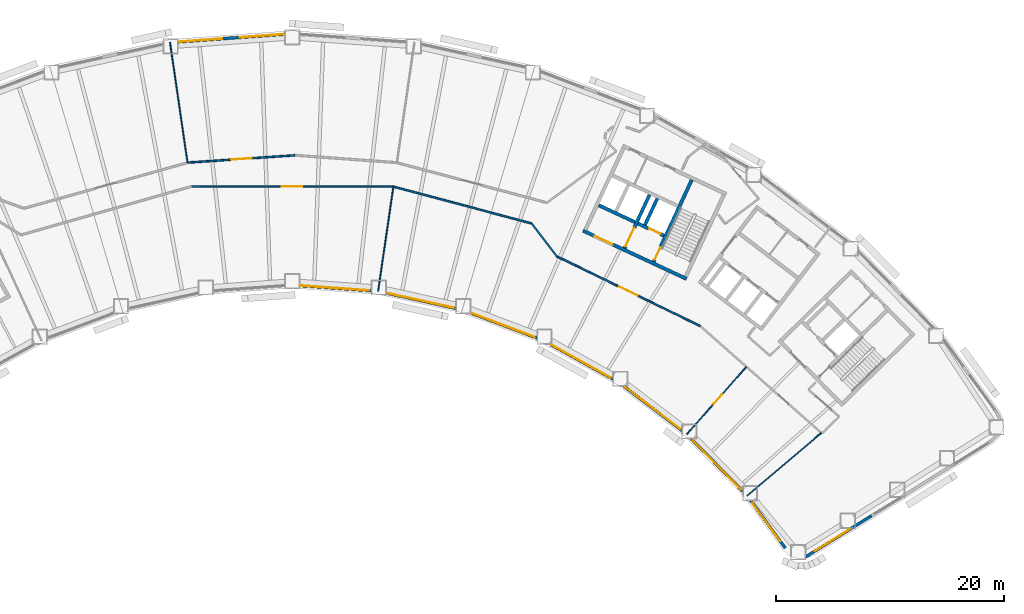
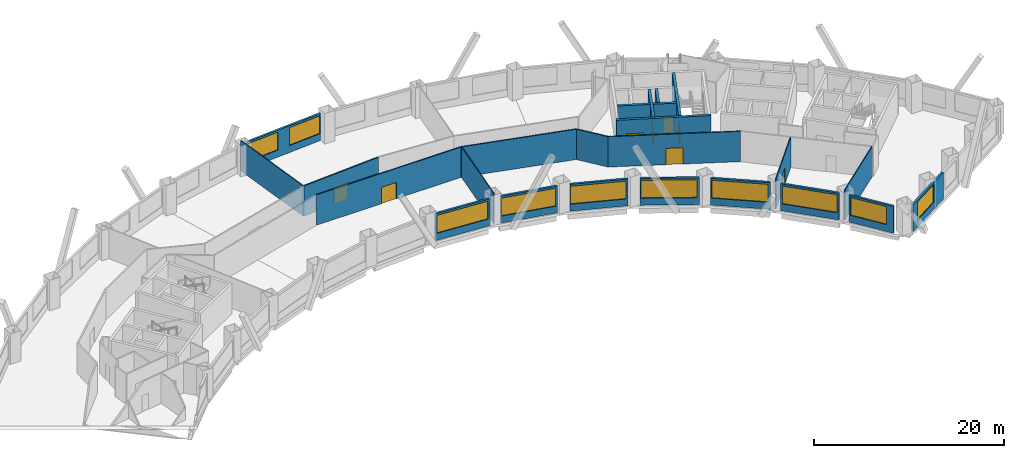
# One storey, part 5 of 11: 24 walls, 10 windows, 8 doors, 18 openings.
"""IFC4 building model written with IfcOpenShell, lengths in metres."""

from ifc_helpers import new_model, si_unit, direction, frame, frame_2d, origin, place, context, subcontext, project, spatial, rectangle, extrude, material, layer, layer_set, type_object, element, fill, save


model = new_model("IFC4")

# Units and contexts
model_context = context("Model", 3, precision=1e-05, world=origin(), true_north=direction((0.0, 1.0)))
body_context = subcontext(model_context, "Body", "Model", "MODEL_VIEW")
ifc_project = project(units=[si_unit("LENGTHUNIT", "METRE"), si_unit("AREAUNIT", "SQUARE_METRE"), si_unit("VOLUMEUNIT", "CUBIC_METRE"), si_unit("PLANEANGLEUNIT", "RADIAN"), si_unit("MASSUNIT", "GRAM", prefix="KILO")], contexts=[model_context])

# Site, building, storey
site_placement = place(None, origin())
site = spatial("IfcSite", under=ifc_project, at=site_placement, CompositionType="ELEMENT")
building_placement = place(site_placement, origin())
building = spatial("IfcBuilding", under=site, at=building_placement, Name="Tuul Gate Civic Tower", CompositionType="ELEMENT")
storey_placement = place(building_placement, frame((0.0, 0.0, 48.300048828125)))
storey = spatial("IfcBuildingStorey", under=building, at=storey_placement, Name="Level 10", CompositionType="ELEMENT", Elevation=48.300048828125)

# Wall, opening, door
ifc_material_1 = material(Name="Concrete C50/60", Category="concrete")
ifc_layer_1 = layer(ifc_material_1, 0.300048828125)
ifc_layer_set_1 = layer_set([ifc_layer_1], Name="Concrete C50/60")
wall_type_1 = type_object("IfcWallType", Name="Core wall C50/60", PredefinedType="SHEAR", material=ifc_layer_set_1)
wall_1_placement = place(storey_placement, frame((34.5283203125, -7.25, 0.0), z_axis=(0.0, 0.0, 1.0), x_axis=(-0.906310338845, 0.422612789327, 0.0)))
wall_1 = element("IfcWall", 1, at=wall_1_placement, inside=storey, type_object=wall_type_1, Name="Core wall", PredefinedType="SHEAR", context=body_context, shape_type="SweptSolid", body=[
    extrude(rectangle(XDim=9.999755859375, YDim=0.300048828125, at=frame_2d((5.0, 0.0))), origin(), (0.0, 0.0, 1.0), 3.89990234375),
])
opening_1_placement = place(wall_1_placement, frame((7.125, 0.0, 0.0)))
opening_1 = element("IfcOpeningElement", 2, at=opening_1_placement, cuts=wall_1, Name="Opening LB-E3-LOBBY-1", PredefinedType="OPENING", context=body_context, shape_type="SweptSolid", body=[
    extrude(rectangle(XDim=1.800048828125, YDim=2.10009765625, at=frame_2d((0.89990234375, 1.050048828125))), frame((0.0, 0.16015625, 0.0), z_axis=(0.0, -1.0, 0.0), x_axis=(1.0, 0.0, 0.0)), (0.0, 0.0, 1.0), 0.320068359375),
])
ifc_material_2 = material(Name="Steel", Category="steel")
door_type_1 = type_object("IfcDoorType", Name="Lobby door", OperationType="DOUBLE_DOOR_SINGLE_SWING", PredefinedType="DOOR", material=ifc_material_2)
door_1_placement = place(opening_1_placement, frame((1.800048828125, 0.0, 0.0), z_axis=(0.0, 0.0, 1.0), x_axis=(-1.0, 0.0, 0.0)))
door_1 = element("IfcDoor", 3, at=door_1_placement, inside=storey, type_object=door_type_1, Name="Lobby door E3-LOBBY", OperationType="DOUBLE_DOOR_SINGLE_SWING", OverallHeight=2.10009765625, OverallWidth=1.800048828125, PredefinedType="DOOR", context=body_context, shape_type="SweptSolid", body=[
    extrude(rectangle(XDim=1.800048828125, YDim=2.10009765625, at=frame_2d((0.900146484375, 1.050048828125))), frame((0.0, 0.02490234375, 0.0), z_axis=(0.0, -1.0, 0.0), x_axis=(1.0, 0.0, 0.0)), (0.0, 0.0, 1.0), 0.050048828125),
])
fill(opening_1, door_1)

wall_2_placement = place(storey_placement, frame((32.545654296875, -3.456787109375, 0.0), z_axis=(0.0, 0.0, 1.0), x_axis=(-0.906300357825, 0.42263419337, 0.0)))
wall_2 = element("IfcWall", 4, at=wall_2_placement, inside=storey, type_object=wall_type_1, Name="Core wall", PredefinedType="SHEAR", context=body_context, shape_type="SweptSolid", body=[
    extrude(rectangle(XDim=2.500244140625, YDim=0.300048828125, at=frame_2d((1.25, 0.0))), origin(), (0.0, 0.0, 1.0), 3.89990234375),
])
opening_2_placement = place(wall_2_placement, frame((0.324951171875, 0.0, 0.0)))
opening_2 = element("IfcOpeningElement", 5, at=opening_2_placement, cuts=wall_2, Name="Opening LD-FF-2", PredefinedType="OPENING", context=body_context, shape_type="SweptSolid", body=[
    extrude(rectangle(XDim=1.10009765625, YDim=2.10009765625, at=frame_2d((0.550048828125, 1.050048828125))), frame((0.0, 0.16015625, 0.0), z_axis=(0.0, -1.0, 0.0), x_axis=(1.0, 0.0, 0.0)), (0.0, 0.0, 1.0), 0.320068359375),
])
ifc_material_3 = material(Name="Stainless steel", Category="steel")
door_type_2 = type_object("IfcDoorType", Name="Landing door", OperationType="DOUBLE_DOOR_SLIDING", PredefinedType="DOOR", material=ifc_material_3)
door_2_placement = place(opening_2_placement, origin())
door_2 = element("IfcDoor", 6, at=door_2_placement, inside=storey, type_object=door_type_2, Name="Fire-fighting lift FF-2 landing door", OperationType="DOUBLE_DOOR_SLIDING", OverallHeight=2.10009765625, OverallWidth=1.10009765625, PredefinedType="DOOR", context=body_context, shape_type="SweptSolid", body=[
    extrude(rectangle(XDim=1.10009765625, YDim=2.10009765625, at=frame_2d((0.550048828125, 1.050048828125))), frame((0.0, 0.02490234375, 0.0), z_axis=(0.0, -1.0, 0.0), x_axis=(1.0, 0.0, 0.0)), (0.0, 0.0, 1.0), 0.050048828125),
])
fill(opening_2, door_2)

# Wall
wall_3_placement = place(storey_placement, frame((30.0078125, -2.2734375, 0.0), z_axis=(0.0, 0.0, 1.0), x_axis=(-0.90630071767, 0.422633421716, 0.0)))
element("IfcWall", 7, at=wall_3_placement, inside=storey, type_object=wall_type_1, Name="Core wall", PredefinedType="SHEAR", context=body_context, shape_type="SweptSolid", body=[
    extrude(rectangle(XDim=3.5, YDim=0.300048828125, at=frame_2d((1.75, 0.0))), origin(), (0.0, 0.0, 1.0), 3.89990234375),
])

# Wall, opening, door
wall_4_placement = place(storey_placement, frame((31.646240234375, -5.740478515625, 0.0), z_axis=(0.0, 0.0, 1.0), x_axis=(0.422582604137, 0.906324413596, 0.0)))
wall_4 = element("IfcWall", 8, at=wall_4_placement, inside=storey, type_object=wall_type_1, Name="Core wall", PredefinedType="SHEAR", context=body_context, shape_type="SweptSolid", body=[
    extrude(rectangle(XDim=7.89990234375, YDim=0.300048828125, at=frame_2d((3.949951171875, 0.0))), origin(), (0.0, 0.0, 1.0), 3.89990234375),
])
opening_3_placement = place(wall_4_placement, frame((0.199951171875, 0.0, 0.0)))
opening_3 = element("IfcOpeningElement", 9, at=opening_3_placement, cuts=wall_4, Name="Opening SD-ST-4", PredefinedType="OPENING", context=body_context, shape_type="SweptSolid", body=[
    extrude(rectangle(XDim=1.199951171875, YDim=2.10009765625, at=frame_2d((0.60009765625, 1.050048828125))), frame((0.0, 0.16015625, 0.0), z_axis=(0.0, -1.0, 0.0), x_axis=(1.0, 0.0, 0.0)), (0.0, 0.0, 1.0), 0.320068359375),
])
ifc_material_4 = material(Name="Steel", Category="steel")
door_type_3 = type_object("IfcDoorType", Name="Stair door", OperationType="NOTDEFINED", PredefinedType="DOOR", material=ifc_material_4)
door_3_placement = place(opening_3_placement, origin())
door_3 = element("IfcDoor", 10, at=door_3_placement, inside=storey, type_object=door_type_3, Name="Stair door ST-4", OperationType="SINGLE_SWING_LEFT", OverallHeight=2.10009765625, OverallWidth=1.199951171875, PredefinedType="DOOR", context=body_context, shape_type="SweptSolid", body=[
    extrude(rectangle(XDim=1.199951171875, YDim=2.10009765625, at=frame_2d((0.60009765625, 1.050048828125))), frame((0.0, 0.02490234375, 0.0), z_axis=(0.0, -1.0, 0.0), x_axis=(1.0, 0.0, 0.0)), (0.0, 0.0, 1.0), 0.050048828125),
])
fill(opening_3, door_3)

# Wall
wall_5_placement = place(storey_placement, frame((30.886962890625, -2.517822265625, 0.0), z_axis=(0.0, 0.0, 1.0), x_axis=(0.422612891016, 0.906310291427, 0.0)))
element("IfcWall", 11, at=wall_5_placement, inside=storey, type_object=wall_type_1, Name="Core wall", PredefinedType="SHEAR", context=body_context, shape_type="SweptSolid", body=[
    extrude(rectangle(XDim=2.550048828125, YDim=0.300048828125, at=frame_2d((1.27490234375, 0.0))), origin(), (0.0, 0.0, 1.0), 3.89990234375),
])

# Wall, opening, door
wall_6_placement = place(storey_placement, frame((29.108642578125, -4.557373046875, 0.0), z_axis=(0.0, 0.0, 1.0), x_axis=(0.422566235356, 0.90633204552, 0.0)))
wall_6 = element("IfcWall", 12, at=wall_6_placement, inside=storey, type_object=wall_type_1, Name="Core wall", PredefinedType="SHEAR", context=body_context, shape_type="SweptSolid", body=[
    extrude(rectangle(XDim=5.150146484375, YDim=0.300048828125, at=frame_2d((2.5751953125, 0.0))), origin(), (0.0, 0.0, 1.0), 3.89990234375),
])
opening_4_placement = place(wall_6_placement, frame((0.175048828125, 0.0, 0.0)))
opening_4 = element("IfcOpeningElement", 13, at=opening_4_placement, cuts=wall_6, Name="Opening LB-E3-FLOBBY-1", PredefinedType="OPENING", context=body_context, shape_type="SweptSolid", body=[
    extrude(rectangle(XDim=1.800048828125, YDim=2.10009765625, at=frame_2d((0.89990234375, 1.050048828125))), frame((0.0, 0.16015625, 0.0), z_axis=(0.0, -1.0, 0.0), x_axis=(1.0, 0.0, 0.0)), (0.0, 0.0, 1.0), 0.320068359375),
])
door_4_placement = place(opening_4_placement, frame((1.800048828125, 0.0, 0.0), z_axis=(0.0, 0.0, 1.0), x_axis=(-1.0, 0.0, 0.0)))
door_4 = element("IfcDoor", 14, at=door_4_placement, inside=storey, type_object=door_type_1, Name="Lobby door E3-FLOBBY", OperationType="DOUBLE_DOOR_SINGLE_SWING", OverallHeight=2.10009765625, OverallWidth=1.800048828125, PredefinedType="DOOR", context=body_context, shape_type="SweptSolid", body=[
    extrude(rectangle(XDim=1.800048828125, YDim=2.10009765625, at=frame_2d((0.900146484375, 1.050048828125))), frame((0.0, 0.02490234375, 0.0), z_axis=(0.0, -1.0, 0.0), x_axis=(1.0, 0.0, 0.0)), (0.0, 0.0, 1.0), 0.050048828125),
])
fill(opening_4, door_4)

ifc_material_5 = material(Name="Gypsum board partition")
ifc_layer_2 = layer(ifc_material_5, 0.14990234375)
ifc_layer_set_2 = layer_set([ifc_layer_2], Name="Gypsum board partition")
wall_type_2 = type_object("IfcWallType", Name="Corridor wall P150", PredefinedType="PARTITIONING", material=ifc_layer_set_2)
wall_7_placement = place(storey_placement, frame((-9.11767578125, 2.936279296875, 0.0), z_axis=(0.0, 0.0, 1.0), x_axis=(0.997685012636, 0.068004526039, 0.0)))
wall_7 = element("IfcWall", 15, at=wall_7_placement, inside=storey, type_object=wall_type_2, Name="p027", PredefinedType="PARTITIONING", context=body_context, shape_type="SweptSolid", body=[
    extrude(rectangle(XDim=9.4130859375, YDim=0.14990234375, at=frame_2d((4.70654296875, 0.0))), origin(), (0.0, 0.0, 1.0), 3.89990234375),
])
opening_5_placement = place(wall_7_placement, frame((3.806640625, 0.0, 0.0)))
opening_5 = element("IfcOpeningElement", 16, at=opening_5_placement, cuts=wall_7, Name="Opening B-D04", PredefinedType="OPENING", context=body_context, shape_type="SweptSolid", body=[
    extrude(rectangle(XDim=1.800048828125, YDim=2.10009765625, at=frame_2d((0.89990234375, 1.050048828125))), frame((0.0, 0.0849609375, 0.0), z_axis=(0.0, -1.0, 0.0), x_axis=(1.0, 0.0, 0.0)), (0.0, 0.0, 1.0), 0.169921875),
])
ifc_material_6 = material(Name="Timber door leaf, double", Category="wood")
door_type_4 = type_object("IfcDoorType", Name="Door D18", OperationType="DOUBLE_DOOR_SINGLE_SWING", PredefinedType="DOOR", material=ifc_material_6)
door_5_placement = place(opening_5_placement, origin())
door_5 = element("IfcDoor", 17, at=door_5_placement, inside=storey, type_object=door_type_4, Name="Door B-D04", OperationType="DOUBLE_DOOR_SINGLE_SWING", OverallHeight=2.10009765625, OverallWidth=1.800048828125, PredefinedType="DOOR", context=body_context, shape_type="SweptSolid", body=[
    extrude(rectangle(XDim=1.800048828125, YDim=2.10009765625, at=frame_2d((0.89990234375, 1.050048828125))), frame((0.0, 0.02490234375, 0.0), z_axis=(0.0, -1.0, 0.0), x_axis=(1.0, 0.0, 0.0)), (0.0, 0.0, 1.0), 0.050048828125),
])
fill(opening_5, door_5)

# Walls
wall_8_placement = place(storey_placement, frame((8.7958984375, 0.853271484375, 0.0), z_axis=(0.0, 0.0, 1.0), x_axis=(0.966243312112, -0.257631251596, 0.0)))
element("IfcWall", 18, at=wall_8_placement, inside=storey, type_object=wall_type_2, Name="p042", PredefinedType="PARTITIONING", context=body_context, shape_type="SweptSolid", body=[
    extrude(rectangle(XDim=12.582763671875, YDim=0.14990234375, at=frame_2d((6.29150390625, 0.0))), origin(), (0.0, 0.0, 1.0), 3.89990234375),
])
wall_9_placement = place(storey_placement, frame((20.96533203125, -2.39599609375, 0.0), z_axis=(0.0, 0.0, 1.0), x_axis=(0.608342437312, -0.793674668214, 0.0)))
element("IfcWall", 19, at=wall_9_placement, inside=storey, type_object=wall_type_2, Name="p043", PredefinedType="PARTITIONING", context=body_context, shape_type="SweptSolid", body=[
    extrude(rectangle(XDim=3.6240234375, YDim=0.14990234375, at=frame_2d((1.81201171875, 0.0))), origin(), (0.0, 0.0, 1.0), 3.89990234375),
])

# Wall, opening, door
wall_10_placement = place(storey_placement, frame((23.1708984375, -5.273193359375, 0.0), z_axis=(0.0, 0.0, 1.0), x_axis=(0.89942879208, -0.437067326596, 0.0)))
wall_10 = element("IfcWall", 20, at=wall_10_placement, inside=storey, type_object=wall_type_2, Name="p044", PredefinedType="PARTITIONING", context=body_context, shape_type="SweptSolid", body=[
    extrude(rectangle(XDim=13.956787109375, YDim=0.14990234375, at=frame_2d((6.978515625, 0.0))), origin(), (0.0, 0.0, 1.0), 3.89990234375),
])
opening_6_placement = place(wall_10_placement, frame((6.07861328125, 0.0, 0.0)))
opening_6 = element("IfcOpeningElement", 21, at=opening_6_placement, cuts=wall_10, Name="Opening B-D08", PredefinedType="OPENING", context=body_context, shape_type="SweptSolid", body=[
    extrude(rectangle(XDim=1.800048828125, YDim=2.10009765625, at=frame_2d((0.89990234375, 1.050048828125))), frame((0.0, 0.0849609375, 0.0), z_axis=(0.0, -1.0, 0.0), x_axis=(1.0, 0.0, 0.0)), (0.0, 0.0, 1.0), 0.169921875),
])
door_6_placement = place(opening_6_placement, frame((1.800048828125, 0.0, 0.0), z_axis=(0.0, 0.0, 1.0), x_axis=(-1.0, 0.0, 0.0)))
door_6 = element("IfcDoor", 22, at=door_6_placement, inside=storey, type_object=door_type_4, Name="Door B-D08", OperationType="DOUBLE_DOOR_SINGLE_SWING", OverallHeight=2.10009765625, OverallWidth=1.800048828125, PredefinedType="DOOR", context=body_context, shape_type="SweptSolid", body=[
    extrude(rectangle(XDim=1.800048828125, YDim=2.10009765625, at=frame_2d((0.900146484375, 1.050048828125))), frame((0.0, 0.02490234375, 0.0), z_axis=(0.0, -1.0, 0.0), x_axis=(1.0, 0.0, 0.0)), (0.0, 0.0, 1.0), 0.050048828125),
])
fill(opening_6, door_6)

wall_11_placement = place(storey_placement, frame((-8.813720703125, 0.85205078125, 0.0), z_axis=(0.0, 0.0, 1.0), x_axis=(0.999999993845, 0.000110950848, 0.0)))
wall_11 = element("IfcWall", 23, at=wall_11_placement, inside=storey, type_object=wall_type_2, Name="p047", PredefinedType="PARTITIONING", context=body_context, shape_type="SweptSolid", body=[
    extrude(rectangle(XDim=17.603515625, YDim=0.14990234375, at=frame_2d((8.8017578125, 0.0))), origin(), (0.0, 0.0, 1.0), 3.89990234375),
])
opening_7_placement = place(wall_11_placement, frame((7.90185546875, 0.0, 0.0)))
opening_7 = element("IfcOpeningElement", 24, at=opening_7_placement, cuts=wall_11, Name="Opening B-D09", PredefinedType="OPENING", context=body_context, shape_type="SweptSolid", body=[
    extrude(rectangle(XDim=1.800048828125, YDim=2.10009765625, at=frame_2d((0.89990234375, 1.050048828125))), frame((0.0, 0.0849609375, 0.0), z_axis=(0.0, -1.0, 0.0), x_axis=(1.0, 0.0, 0.0)), (0.0, 0.0, 1.0), 0.169921875),
])
door_7_placement = place(opening_7_placement, frame((1.800048828125, 0.0, 0.0), z_axis=(0.0, 0.0, 1.0), x_axis=(-1.0, 0.0, 0.0)))
door_7 = element("IfcDoor", 25, at=door_7_placement, inside=storey, type_object=door_type_4, Name="Door B-D09", OperationType="DOUBLE_DOOR_SINGLE_SWING", OverallHeight=2.10009765625, OverallWidth=1.800048828125, PredefinedType="DOOR", context=body_context, shape_type="SweptSolid", body=[
    extrude(rectangle(XDim=1.800048828125, YDim=2.10009765625, at=frame_2d((0.900146484375, 1.050048828125))), frame((0.0, 0.02490234375, 0.0), z_axis=(0.0, -1.0, 0.0), x_axis=(1.0, 0.0, 0.0)), (0.0, 0.0, 1.0), 0.050048828125),
])
fill(opening_7, door_7)

# Wall, openings, windows
ifc_material_7 = material(Name="Precast concrete C40/50", Category="concrete")
ifc_layer_3 = layer(ifc_material_7, 0.25)
ifc_layer_set_3 = layer_set([ifc_layer_3], Name="Precast concrete C40/50")
wall_type_3 = type_object("IfcWallType", Name="External wall", PredefinedType="STANDARD", material=ifc_layer_set_3)
wall_12_placement = place(storey_placement, frame((-0.64990234375, 14.177490234375, 0.0), z_axis=(0.0, 0.0, 1.0), x_axis=(-0.997388413682, -0.072224318983, 0.0)))
wall_12 = element("IfcWall", 26, at=wall_12_placement, inside=storey, type_object=wall_type_3, Name="External wall", PredefinedType="STANDARD", context=body_context, shape_type="SweptSolid", body=[
    extrude(rectangle(XDim=9.37353515625, YDim=0.25, at=frame_2d((4.686767578125, 0.0))), origin(), (0.0, 0.0, 1.0), 3.449951171875),
])
opening_8_placement = place(wall_12_placement, frame((0.099853515625, 0.0, 0.89990234375)))
opening_8 = element("IfcOpeningElement", 27, at=opening_8_placement, cuts=wall_12, Name="Opening W22", PredefinedType="OPENING", context=body_context, shape_type="SweptSolid", body=[
    extrude(rectangle(XDim=3.85009765625, YDim=2.300048828125, at=frame_2d((1.925048828125, 1.14990234375))), frame((0.0, 0.135009765625, 0.0), z_axis=(0.0, -1.0, 0.0), x_axis=(1.0, 0.0, 0.0)), (0.0, 0.0, 1.0), 0.27001953125),
])
opening_9_placement = place(wall_12_placement, frame((5.470703125, 0.0, 0.89990234375)))
opening_9 = element("IfcOpeningElement", 28, at=opening_9_placement, cuts=wall_12, Name="Opening W22", PredefinedType="OPENING", context=body_context, shape_type="SweptSolid", body=[
    extrude(rectangle(XDim=3.85009765625, YDim=2.300048828125, at=frame_2d((1.925048828125, 1.14990234375))), frame((0.0, 0.135009765625, 0.0), z_axis=(0.0, -1.0, 0.0), x_axis=(1.0, 0.0, 0.0)), (0.0, 0.0, 1.0), 0.27001953125),
])
ifc_material_8 = material(Name="Glass", Category="glass")
window_type_1 = type_object("IfcWindowType", Name="Window W22 3850 x 2300", PartitioningType="SINGLE_PANEL", PredefinedType="WINDOW", material=ifc_material_8)
window_1_placement = place(opening_8_placement, origin())
window_1 = element("IfcWindow", 29, at=window_1_placement, inside=storey, type_object=window_type_1, Name="Window", OverallHeight=2.300048828125, OverallWidth=3.85009765625, PartitioningType="SINGLE_PANEL", PredefinedType="WINDOW", context=body_context, shape_type="SweptSolid", body=[
    extrude(rectangle(XDim=3.85009765625, YDim=2.300048828125, at=frame_2d((1.925048828125, 1.14990234375))), frame((0.0, 0.030029296875, 0.0), z_axis=(0.0, -1.0, 0.0), x_axis=(1.0, 0.0, 0.0)), (0.0, 0.0, 1.0), 0.06005859375),
])
fill(opening_8, window_1)
window_2_placement = place(opening_9_placement, origin())
window_2 = element("IfcWindow", 30, at=window_2_placement, inside=storey, type_object=window_type_1, Name="Window", OverallHeight=2.300048828125, OverallWidth=3.85009765625, PartitioningType="SINGLE_PANEL", PredefinedType="WINDOW", context=body_context, shape_type="SweptSolid", body=[
    extrude(rectangle(XDim=3.85009765625, YDim=2.300048828125, at=frame_2d((1.925048828125, 1.14990234375))), frame((0.0, 0.030029296875, 0.0), z_axis=(0.0, -1.0, 0.0), x_axis=(1.0, 0.0, 0.0)), (0.0, 0.0, 1.0), 0.06005859375),
])
fill(opening_9, window_2)

# Wall, opening, window
wall_13_placement = place(storey_placement, frame((0.64990234375, -7.830810546875, 0.0), z_axis=(0.0, 0.0, 1.0), x_axis=(0.997395047269, -0.072132653374, 0.0)))
wall_13 = element("IfcWall", 31, at=wall_13_placement, inside=storey, type_object=wall_type_3, Name="External wall", PredefinedType="STANDARD", context=body_context, shape_type="SweptSolid", body=[
    extrude(rectangle(XDim=6.28857421875, YDim=0.25, at=frame_2d((3.144287109375, 0.0))), origin(), (0.0, 0.0, 1.0), 3.449951171875),
])
opening_10_placement = place(wall_13_placement, frame((0.12060546875, 0.0, 0.89990234375)))
opening_10 = element("IfcOpeningElement", 32, at=opening_10_placement, cuts=wall_13, Name="Opening W26", PredefinedType="OPENING", context=body_context, shape_type="SweptSolid", body=[
    extrude(rectangle(XDim=6.0, YDim=2.300048828125, at=frame_2d((3.0, 1.14990234375))), frame((0.0, 0.135009765625, 0.0), z_axis=(0.0, -1.0, 0.0), x_axis=(1.0, 0.0, 0.0)), (0.0, 0.0, 1.0), 0.27001953125),
])
ifc_material_9 = material(Name="Glass", Category="glass")
window_type_2 = type_object("IfcWindowType", Name="Window W26 6000 x 2300", PartitioningType="SINGLE_PANEL", PredefinedType="WINDOW", material=ifc_material_9)
window_3_placement = place(opening_10_placement, origin())
window_3 = element("IfcWindow", 33, at=window_3_placement, inside=storey, type_object=window_type_2, Name="Window", OverallHeight=2.300048828125, OverallWidth=6.0, PartitioningType="SINGLE_PANEL", PredefinedType="WINDOW", context=body_context, shape_type="SweptSolid", body=[
    extrude(rectangle(XDim=6.0, YDim=2.300048828125, at=frame_2d((3.0, 1.14990234375))), frame((0.0, 0.030029296875, 0.0), z_axis=(0.0, -1.0, 0.0), x_axis=(1.0, 0.0, 0.0)), (0.0, 0.0, 1.0), 0.06005859375),
])
fill(opening_10, window_3)

wall_14_placement = place(storey_placement, frame((8.221923828125, -8.481689453125, 0.0), z_axis=(0.0, 0.0, 1.0), x_axis=(0.97656633669, -0.215216611915, 0.0)))
wall_14 = element("IfcWall", 34, at=wall_14_placement, inside=storey, type_object=wall_type_3, Name="External wall", PredefinedType="STANDARD", context=body_context, shape_type="SweptSolid", body=[
    extrude(rectangle(XDim=6.2607421875, YDim=0.25, at=frame_2d((3.13037109375, 0.0))), origin(), (0.0, 0.0, 1.0), 3.449951171875),
])
opening_11_placement = place(wall_14_placement, frame((0.05859375, 0.0, 0.89990234375)))
opening_11 = element("IfcOpeningElement", 35, at=opening_11_placement, cuts=wall_14, Name="Opening W26", PredefinedType="OPENING", context=body_context, shape_type="SweptSolid", body=[
    extrude(rectangle(XDim=6.0, YDim=2.300048828125, at=frame_2d((3.0, 1.14990234375))), frame((0.0, 0.135009765625, 0.0), z_axis=(0.0, -1.0, 0.0), x_axis=(1.0, 0.0, 0.0)), (0.0, 0.0, 1.0), 0.27001953125),
])
window_4_placement = place(opening_11_placement, origin())
window_4 = element("IfcWindow", 36, at=window_4_placement, inside=storey, type_object=window_type_2, Name="Window", OverallHeight=2.300048828125, OverallWidth=6.0, PartitioningType="SINGLE_PANEL", PredefinedType="WINDOW", context=body_context, shape_type="SweptSolid", body=[
    extrude(rectangle(XDim=6.0, YDim=2.300048828125, at=frame_2d((3.0, 1.14990234375))), frame((0.0, 0.030029296875, 0.0), z_axis=(0.0, -1.0, 0.0), x_axis=(1.0, 0.0, 0.0)), (0.0, 0.0, 1.0), 0.06005859375),
])
fill(opening_11, window_4)

wall_15_placement = place(storey_placement, frame((15.635986328125, -10.23291015625, 0.0), z_axis=(0.0, 0.0, 1.0), x_axis=(0.935359836581, -0.353697577193, 0.0)))
wall_15 = element("IfcWall", 37, at=wall_15_placement, inside=storey, type_object=wall_type_3, Name="External wall", PredefinedType="STANDARD", context=body_context, shape_type="SweptSolid", body=[
    extrude(rectangle(XDim=6.201904296875, YDim=0.25, at=frame_2d((3.10107421875, 0.0))), origin(), (0.0, 0.0, 1.0), 3.449951171875),
])
opening_12_placement = place(wall_15_placement, frame((0.0458984375, 0.0, 0.89990234375)))
opening_12 = element("IfcOpeningElement", 38, at=opening_12_placement, cuts=wall_15, Name="Opening W101", PredefinedType="OPENING", context=body_context, shape_type="SweptSolid", body=[
    extrude(rectangle(XDim=5.949951171875, YDim=2.300048828125, at=frame_2d((2.97509765625, 1.14990234375))), frame((0.0, 0.135009765625, 0.0), z_axis=(0.0, -1.0, 0.0), x_axis=(1.0, 0.0, 0.0)), (0.0, 0.0, 1.0), 0.27001953125),
])
ifc_material_10 = material(Name="Glass", Category="glass")
window_type_3 = type_object("IfcWindowType", Name="Window W101 5950 x 2300", PartitioningType="SINGLE_PANEL", PredefinedType="WINDOW", material=ifc_material_10)
window_5_placement = place(opening_12_placement, origin())
window_5 = element("IfcWindow", 39, at=window_5_placement, inside=storey, type_object=window_type_3, Name="Window", OverallHeight=2.300048828125, OverallWidth=5.949951171875, PartitioningType="SINGLE_PANEL", PredefinedType="WINDOW", context=body_context, shape_type="SweptSolid", body=[
    extrude(rectangle(XDim=5.949951171875, YDim=2.300048828125, at=frame_2d((2.97509765625, 1.14990234375))), frame((0.0, 0.030029296875, 0.0), z_axis=(0.0, -1.0, 0.0), x_axis=(1.0, 0.0, 0.0)), (0.0, 0.0, 1.0), 0.06005859375),
])
fill(opening_12, window_5)

wall_16_placement = place(storey_placement, frame((22.589599609375, -12.97509765625, 0.0), z_axis=(0.0, 0.0, 1.0), x_axis=(0.874630436192, -0.484790264018, 0.0)))
wall_16 = element("IfcWall", 40, at=wall_16_placement, inside=storey, type_object=wall_type_3, Name="External wall", PredefinedType="STANDARD", context=body_context, shape_type="SweptSolid", body=[
    extrude(rectangle(XDim=6.27392578125, YDim=0.25, at=frame_2d((3.136962890625, 0.0))), origin(), (0.0, 0.0, 1.0), 3.449951171875),
])
opening_13_placement = place(wall_16_placement, frame((0.0869140625, 0.0, 0.89990234375)))
opening_13 = element("IfcOpeningElement", 41, at=opening_13_placement, cuts=wall_16, Name="Opening W101", PredefinedType="OPENING", context=body_context, shape_type="SweptSolid", body=[
    extrude(rectangle(XDim=5.949951171875, YDim=2.300048828125, at=frame_2d((2.97509765625, 1.14990234375))), frame((0.0, 0.135009765625, 0.0), z_axis=(0.0, -1.0, 0.0), x_axis=(1.0, 0.0, 0.0)), (0.0, 0.0, 1.0), 0.27001953125),
])
window_6_placement = place(opening_13_placement, origin())
window_6 = element("IfcWindow", 42, at=window_6_placement, inside=storey, type_object=window_type_3, Name="Window", OverallHeight=2.300048828125, OverallWidth=5.949951171875, PartitioningType="SINGLE_PANEL", PredefinedType="WINDOW", context=body_context, shape_type="SweptSolid", body=[
    extrude(rectangle(XDim=5.949951171875, YDim=2.300048828125, at=frame_2d((2.97509765625, 1.14990234375))), frame((0.0, 0.030029296875, 0.0), z_axis=(0.0, -1.0, 0.0), x_axis=(1.0, 0.0, 0.0)), (0.0, 0.0, 1.0), 0.06005859375),
])
fill(opening_13, window_6)

wall_17_placement = place(storey_placement, frame((29.044921875, -16.656005859375, 0.0), z_axis=(0.0, 0.0, 1.0), x_axis=(0.795571471624, -0.605859747416, 0.0)))
wall_17 = element("IfcWall", 43, at=wall_17_placement, inside=storey, type_object=wall_type_3, Name="External wall", PredefinedType="STANDARD", context=body_context, shape_type="SweptSolid", body=[
    extrude(rectangle(XDim=6.375244140625, YDim=0.25, at=frame_2d((3.1875, 0.0))), origin(), (0.0, 0.0, 1.0), 3.449951171875),
])
opening_14_placement = place(wall_17_placement, frame((0.1484375, 0.0, 0.89990234375)))
opening_14 = element("IfcOpeningElement", 44, at=opening_14_placement, cuts=wall_17, Name="Opening W26", PredefinedType="OPENING", context=body_context, shape_type="SweptSolid", body=[
    extrude(rectangle(XDim=6.0, YDim=2.300048828125, at=frame_2d((3.0, 1.14990234375))), frame((0.0, 0.135009765625, 0.0), z_axis=(0.0, -1.0, 0.0), x_axis=(1.0, 0.0, 0.0)), (0.0, 0.0, 1.0), 0.27001953125),
])
window_7_placement = place(opening_14_placement, origin())
window_7 = element("IfcWindow", 45, at=window_7_placement, inside=storey, type_object=window_type_2, Name="Window", OverallHeight=2.300048828125, OverallWidth=6.0, PartitioningType="SINGLE_PANEL", PredefinedType="WINDOW", context=body_context, shape_type="SweptSolid", body=[
    extrude(rectangle(XDim=6.0, YDim=2.300048828125, at=frame_2d((3.0, 1.14990234375))), frame((0.0, 0.030029296875, 0.0), z_axis=(0.0, -1.0, 0.0), x_axis=(1.0, 0.0, 0.0)), (0.0, 0.0, 1.0), 0.06005859375),
])
fill(opening_14, window_7)

wall_18_placement = place(storey_placement, frame((34.948974609375, -21.2548828125, 0.0), z_axis=(0.0, 0.0, 1.0), x_axis=(0.699998211198, -0.714144596227, 0.0)))
wall_18 = element("IfcWall", 46, at=wall_18_placement, inside=storey, type_object=wall_type_3, Name="External wall", PredefinedType="STANDARD", context=body_context, shape_type="SweptSolid", body=[
    extrude(rectangle(XDim=6.40283203125, YDim=0.25, at=frame_2d((3.201416015625, 0.0))), origin(), (0.0, 0.0, 1.0), 3.449951171875),
])
opening_15_placement = place(wall_18_placement, frame((0.203857421875, 0.0, 0.89990234375)))
opening_15 = element("IfcOpeningElement", 47, at=opening_15_placement, cuts=wall_18, Name="Opening W26", PredefinedType="OPENING", context=body_context, shape_type="SweptSolid", body=[
    extrude(rectangle(XDim=6.0, YDim=2.300048828125, at=frame_2d((3.0, 1.14990234375))), frame((0.0, 0.135009765625, 0.0), z_axis=(0.0, -1.0, 0.0), x_axis=(1.0, 0.0, 0.0)), (0.0, 0.0, 1.0), 0.27001953125),
])
window_8_placement = place(opening_15_placement, origin())
window_8 = element("IfcWindow", 48, at=window_8_placement, inside=storey, type_object=window_type_2, Name="Window", OverallHeight=2.300048828125, OverallWidth=6.0, PartitioningType="SINGLE_PANEL", PredefinedType="WINDOW", context=body_context, shape_type="SweptSolid", body=[
    extrude(rectangle(XDim=6.0, YDim=2.300048828125, at=frame_2d((3.0, 1.14990234375))), frame((0.0, 0.030029296875, 0.0), z_axis=(0.0, -1.0, 0.0), x_axis=(1.0, 0.0, 0.0)), (0.0, 0.0, 1.0), 0.06005859375),
])
fill(opening_15, window_8)

wall_19_placement = place(storey_placement, frame((40.1533203125, -26.676025390625, 0.0), z_axis=(0.0, 0.0, 1.0), x_axis=(0.589712900291, -0.807612961282, 0.0)))
wall_19 = element("IfcWall", 49, at=wall_19_placement, inside=storey, type_object=wall_type_3, Name="External wall", PredefinedType="STANDARD", context=body_context, shape_type="SweptSolid", body=[
    extrude(rectangle(XDim=5.120361328125, YDim=0.25, at=frame_2d((2.56005859375, 0.0))), origin(), (0.0, 0.0, 1.0), 3.449951171875),
])
opening_16_placement = place(wall_19_placement, frame((0.218017578125, 0.0, 0.89990234375)))
opening_16 = element("IfcOpeningElement", 50, at=opening_16_placement, cuts=wall_19, Name="Opening W25", PredefinedType="OPENING", context=body_context, shape_type="SweptSolid", body=[
    extrude(rectangle(XDim=4.14990234375, YDim=2.300048828125, at=frame_2d((2.074951171875, 1.14990234375))), frame((0.0, 0.135009765625, 0.0), z_axis=(0.0, -1.0, 0.0), x_axis=(1.0, 0.0, 0.0)), (0.0, 0.0, 1.0), 0.27001953125),
])
ifc_material_11 = material(Name="Glass", Category="glass")
window_type_4 = type_object("IfcWindowType", Name="Window W25 4150 x 2300", PartitioningType="SINGLE_PANEL", PredefinedType="WINDOW", material=ifc_material_11)
window_9_placement = place(opening_16_placement, origin())
window_9 = element("IfcWindow", 51, at=window_9_placement, inside=storey, type_object=window_type_4, Name="Window", OverallHeight=2.300048828125, OverallWidth=4.14990234375, PartitioningType="SINGLE_PANEL", PredefinedType="WINDOW", context=body_context, shape_type="SweptSolid", body=[
    extrude(rectangle(XDim=4.14990234375, YDim=2.300048828125, at=frame_2d((2.074951171875, 1.14990234375))), frame((0.0, 0.030029296875, 0.0), z_axis=(0.0, -1.0, 0.0), x_axis=(1.0, 0.0, 0.0)), (0.0, 0.0, 1.0), 0.06005859375),
])
fill(opening_16, window_9)

wall_20_placement = place(storey_placement, frame((44.950927734375, -31.5869140625, 0.0), z_axis=(0.0, 0.0, 1.0), x_axis=(0.848068815002, 0.529886105707, 0.0)))
wall_20 = element("IfcWall", 52, at=wall_20_placement, inside=storey, type_object=wall_type_3, Name="External wall", PredefinedType="STANDARD", context=body_context, shape_type="SweptSolid", body=[
    extrude(rectangle(XDim=6.807373046875, YDim=0.25, at=frame_2d((3.40380859375, 0.0))), origin(), (0.0, 0.0, 1.0), 3.449951171875),
])
opening_17_placement = place(wall_20_placement, frame((0.943115234375, 0.0, 0.89990234375)))
opening_17 = element("IfcOpeningElement", 53, at=opening_17_placement, cuts=wall_20, Name="Opening W21", PredefinedType="OPENING", context=body_context, shape_type="SweptSolid", body=[
    extrude(rectangle(XDim=3.699951171875, YDim=2.300048828125, at=frame_2d((1.85009765625, 1.14990234375))), frame((0.0, 0.135009765625, 0.0), z_axis=(0.0, -1.0, 0.0), x_axis=(1.0, 0.0, 0.0)), (0.0, 0.0, 1.0), 0.27001953125),
])
ifc_material_12 = material(Name="Glass", Category="glass")
window_type_5 = type_object("IfcWindowType", Name="Window W21 3700 x 2300", PartitioningType="SINGLE_PANEL", PredefinedType="WINDOW", material=ifc_material_12)
window_10_placement = place(opening_17_placement, origin())
window_10 = element("IfcWindow", 54, at=window_10_placement, inside=storey, type_object=window_type_5, Name="Window", OverallHeight=2.300048828125, OverallWidth=3.699951171875, PartitioningType="SINGLE_PANEL", PredefinedType="WINDOW", context=body_context, shape_type="SweptSolid", body=[
    extrude(rectangle(XDim=3.699951171875, YDim=2.300048828125, at=frame_2d((1.85009765625, 1.14990234375))), frame((0.0, 0.030029296875, 0.0), z_axis=(0.0, -1.0, 0.0), x_axis=(1.0, 0.0, 0.0)), (0.0, 0.0, 1.0), 0.06005859375),
])
fill(opening_17, window_10)

# Walls
ifc_material_13 = material(Name="Gypsum board partition")
ifc_layer_4 = layer(ifc_material_13, 0.10009765625)
ifc_layer_set_4 = layer_set([ifc_layer_4], Name="Gypsum board partition")
wall_type_4 = type_object("IfcWallType", Name="Partition P100", PredefinedType="PARTITIONING", material=ifc_layer_set_4)
wall_21_placement = place(storey_placement, frame((39.82861328125, -26.239990234375, 0.0), z_axis=(0.0, 0.0, 1.0), x_axis=(0.762830690299, 0.646598281731, 0.0)))
element("IfcWall", 55, at=wall_21_placement, inside=storey, type_object=wall_type_4, Name="p001", PredefinedType="PARTITIONING", context=body_context, shape_type="SweptSolid", body=[
    extrude(rectangle(XDim=8.521484375, YDim=0.10009765625, at=frame_2d((4.2607421875, 0.0))), origin(), (0.0, 0.0, 1.0), 3.89990234375),
])
wall_22_placement = place(storey_placement, frame((7.5244140625, -8.3330078125, 0.0), z_axis=(0.0, 0.0, 1.0), x_axis=(0.144095123446, 0.989563840992, 0.0)))
element("IfcWall", 56, at=wall_22_placement, inside=storey, type_object=wall_type_4, Name="p015", PredefinedType="PARTITIONING", context=body_context, shape_type="SweptSolid", body=[
    extrude(rectangle(XDim=9.26611328125, YDim=0.10009765625, at=frame_2d((4.633056640625, 0.0))), origin(), (0.0, 0.0, 1.0), 3.89990234375),
])
wall_23_placement = place(storey_placement, frame((-10.697265625, 13.454833984375, 0.0), z_axis=(0.0, 0.0, 1.0), x_axis=(0.144115484467, -0.989560875913, 0.0)))
element("IfcWall", 57, at=wall_23_placement, inside=storey, type_object=wall_type_4, Name="p025", PredefinedType="PARTITIONING", context=body_context, shape_type="SweptSolid", body=[
    extrude(rectangle(XDim=10.64208984375, YDim=0.10009765625, at=frame_2d((5.321044921875, 0.0))), origin(), (0.0, 0.0, 1.0), 3.89990234375),
])

# Wall, opening, door
wall_24_placement = place(storey_placement, frame((34.547607421875, -20.852783203125, 0.0), z_axis=(0.0, 0.0, 1.0), x_axis=(0.661702510962, 0.749766488306, 0.0)))
wall_24 = element("IfcWall", 58, at=wall_24_placement, inside=storey, type_object=wall_type_4, Name="p041", PredefinedType="PARTITIONING", context=body_context, shape_type="SweptSolid", body=[
    extrude(rectangle(XDim=7.88720703125, YDim=0.10009765625, at=frame_2d((3.943603515625, 0.0))), origin(), (0.0, 0.0, 1.0), 3.89990234375),
])
opening_18_placement = place(wall_24_placement, frame((3.55908203125, 0.0, 0.0)))
opening_18 = element("IfcOpeningElement", 59, at=opening_18_placement, cuts=wall_24, Name="Opening B-D15", PredefinedType="OPENING", context=body_context, shape_type="SweptSolid", body=[
    extrude(rectangle(XDim=1.10009765625, YDim=2.10009765625, at=frame_2d((0.550048828125, 1.050048828125))), frame((0.0, 0.06005859375, 0.0), z_axis=(0.0, -1.0, 0.0), x_axis=(1.0, 0.0, 0.0)), (0.0, 0.0, 1.0), 0.1201171875),
])
ifc_material_14 = material(Name="Timber door leaf", Category="wood")
door_type_5 = type_object("IfcDoorType", Name="Door D11", OperationType="NOTDEFINED", PredefinedType="DOOR", material=ifc_material_14)
door_8_placement = place(opening_18_placement, frame((1.10009765625, 0.0, 0.0), z_axis=(0.0, 0.0, 1.0), x_axis=(-1.0, 0.0, 0.0)))
door_8 = element("IfcDoor", 60, at=door_8_placement, inside=storey, type_object=door_type_5, Name="Door B-D15", OperationType="SINGLE_SWING_LEFT", OverallHeight=2.10009765625, OverallWidth=1.10009765625, PredefinedType="DOOR", context=body_context, shape_type="SweptSolid", body=[
    extrude(rectangle(XDim=1.10009765625, YDim=2.10009765625, at=frame_2d((0.550048828125, 1.050048828125))), frame((0.0, 0.02490234375, 0.0), z_axis=(0.0, -1.0, 0.0), x_axis=(1.0, 0.0, 0.0)), (0.0, 0.0, 1.0), 0.050048828125),
])
fill(opening_18, door_8)

save(model, "model.ifc")
